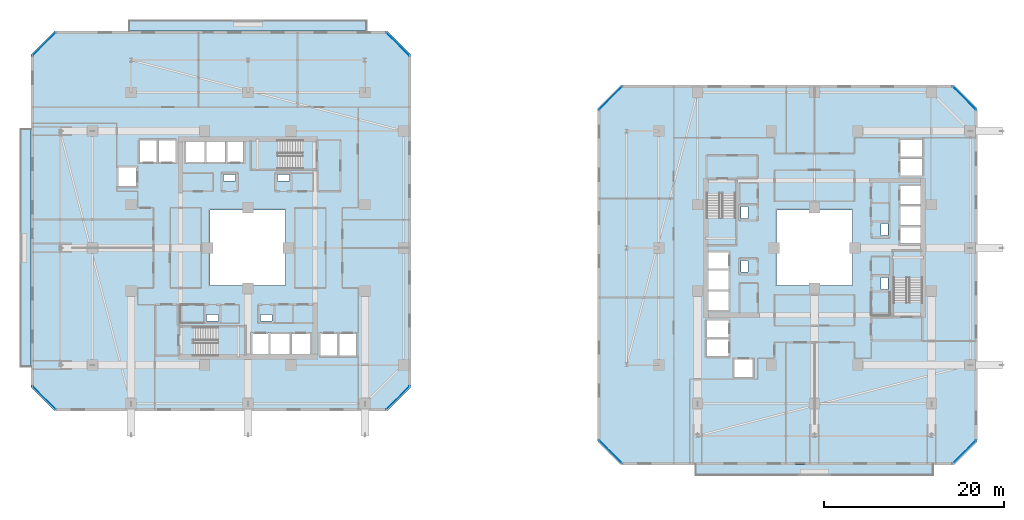
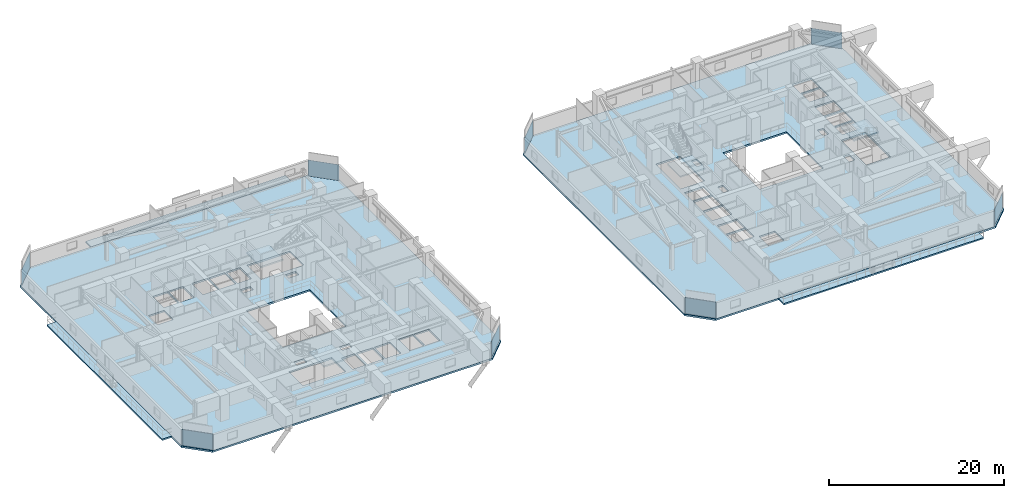
# One storey, part 18 of 36: 9 slabs, 8 plates, 12 elements without a shape of their own.
"""IFC4 building model written with IfcOpenShell, lengths in metres."""

from ifc_helpers import new_model, si_unit, direction, frame, origin, origin_2d, place, context, subcontext, project, spatial, polyline, rectangle, outline, extrude, material, layer, layer_set, type_object, element, aggregate, save


model = new_model("IFC4")

# Units and contexts
model_context = context("Model", 3, precision=1e-05, world=origin(), true_north=direction((0.0, 1.0)))
body_context = subcontext(model_context, "Body", "Model", "MODEL_VIEW")
ifc_project = project(units=[si_unit("LENGTHUNIT", "METRE"), si_unit("AREAUNIT", "SQUARE_METRE"), si_unit("VOLUMEUNIT", "CUBIC_METRE"), si_unit("PLANEANGLEUNIT", "RADIAN"), si_unit("MASSUNIT", "GRAM", prefix="KILO")], contexts=[model_context])

# Site, building, storey
site_placement = place(None, origin())
site = spatial("IfcSite", under=ifc_project, at=site_placement, CompositionType="ELEMENT")
building_placement = place(site_placement, origin())
building = spatial("IfcBuilding", under=site, at=building_placement, Name="Thornwick Lancets Civic Towers", CompositionType="ELEMENT")
storey_placement = place(building_placement, frame((0.0, 0.0, 116.10009765625)))
storey = spatial("IfcBuildingStorey", under=building, at=storey_placement, Name="L30", CompositionType="ELEMENT", Elevation=116.10009765625)

# Curtain wall, plate
ifc_material_1 = material(Name="Low-zone chamfered-corner unitised glass curtain wall", Category="glass")
curtain_wall_type = type_object("IfcCurtainWallType", Name="CW_SYS_03", PredefinedType="NOTDEFINED", material=ifc_material_1)
curtain_wall_1_placement = place(storey_placement, origin())
curtain_wall_1 = element("IfcCurtainWall", 1, at=curtain_wall_1_placement, inside=storey, type_object=curtain_wall_type, Name="L30 Curtain Wall CW-L30-A-E1", PredefinedType="NOTDEFINED")
ifc_material_2 = material(Name="Low-e double glazing clear glass", Category="glass")
ifc_layer_1 = layer(ifc_material_2, 0.035888671875, Name="Low-e double glazing clear glass")
ifc_layer_set_1 = layer_set([ifc_layer_1], Name="Low-e double glazing clear glass")
plate_type = type_object("IfcPlateType", Name="CW_PNL_GLASS", PredefinedType="CURTAIN_PANEL", material=ifc_layer_set_1)
plate_1_placement = place(storey_placement, frame((42.173095703125, 10.326904296875, 0.0), z_axis=(0.0, 0.0, 1.0), x_axis=(0.707106781187, 0.707106781187, 0.0)))
plate_1 = element("IfcPlate", 2, at=plate_1_placement, type_object=plate_type, Name="CW-L30-A-E1 Panel 0", PredefinedType="CURTAIN_PANEL", context=body_context, shape_type="SweptSolid", body=[
    extrude(rectangle(XDim=3.6494140625, YDim=0.035888671875, at=origin_2d()), origin(), (0.0, 0.0, 1.0), 2.219970703125),
])
aggregate(curtain_wall_1, [plate_1])

curtain_wall_2_placement = place(storey_placement, origin())
curtain_wall_2 = element("IfcCurtainWall", 3, at=curtain_wall_2_placement, inside=storey, type_object=curtain_wall_type, Name="L30 Curtain Wall CW-L30-A-E3", PredefinedType="NOTDEFINED")
plate_2_placement = place(storey_placement, frame((42.173095703125, 49.673095703125, 0.0), z_axis=(0.0, 0.0, 1.0), x_axis=(-0.707106781187, 0.707106781187, 0.0)))
plate_2 = element("IfcPlate", 4, at=plate_2_placement, type_object=plate_type, Name="CW-L30-A-E3 Panel 0", PredefinedType="CURTAIN_PANEL", context=body_context, shape_type="SweptSolid", body=[
    extrude(rectangle(XDim=3.6494140625, YDim=0.035888671875, at=origin_2d()), origin(), (0.0, 0.0, 1.0), 2.219970703125),
])
aggregate(curtain_wall_2, [plate_2])

curtain_wall_3_placement = place(storey_placement, origin())
curtain_wall_3 = element("IfcCurtainWall", 5, at=curtain_wall_3_placement, inside=storey, type_object=curtain_wall_type, Name="L30 Curtain Wall CW-L30-A-E5", PredefinedType="NOTDEFINED")
plate_3_placement = place(storey_placement, frame((2.826904296875, 49.673095703125, 0.0), z_axis=(0.0, 0.0, 1.0), x_axis=(-0.707106781187, -0.707106781187, 0.0)))
plate_3 = element("IfcPlate", 6, at=plate_3_placement, type_object=plate_type, Name="CW-L30-A-E5 Panel 0", PredefinedType="CURTAIN_PANEL", context=body_context, shape_type="SweptSolid", body=[
    extrude(rectangle(XDim=3.6494140625, YDim=0.035888671875, at=origin_2d()), origin(), (0.0, 0.0, 1.0), 2.219970703125),
])
aggregate(curtain_wall_3, [plate_3])

curtain_wall_4_placement = place(storey_placement, origin())
curtain_wall_4 = element("IfcCurtainWall", 7, at=curtain_wall_4_placement, inside=storey, type_object=curtain_wall_type, Name="L30 Curtain Wall CW-L30-A-E7", PredefinedType="NOTDEFINED")
plate_4_placement = place(storey_placement, frame((2.826904296875, 10.326904296875, 0.0), z_axis=(0.0, 0.0, 1.0), x_axis=(0.707106781187, -0.707106781187, 0.0)))
plate_4 = element("IfcPlate", 8, at=plate_4_placement, type_object=plate_type, Name="CW-L30-A-E7 Panel 0", PredefinedType="CURTAIN_PANEL", context=body_context, shape_type="SweptSolid", body=[
    extrude(rectangle(XDim=3.6494140625, YDim=0.035888671875, at=origin_2d()), origin(), (0.0, 0.0, 1.0), 2.219970703125),
])
aggregate(curtain_wall_4, [plate_4])

curtain_wall_5_placement = place(storey_placement, origin())
curtain_wall_5 = element("IfcCurtainWall", 9, at=curtain_wall_5_placement, inside=storey, type_object=curtain_wall_type, Name="L30 Curtain Wall CW-L30-B-E1", PredefinedType="NOTDEFINED")
plate_5_placement = place(storey_placement, frame((105.173095703125, 4.326904296875, 0.0), z_axis=(0.0, 0.0, 1.0), x_axis=(0.707106781187, 0.707106781187, 0.0)))
plate_5 = element("IfcPlate", 10, at=plate_5_placement, type_object=plate_type, Name="CW-L30-B-E1 Panel 0", PredefinedType="CURTAIN_PANEL", context=body_context, shape_type="SweptSolid", body=[
    extrude(rectangle(XDim=3.6494140625, YDim=0.035888671875, at=origin_2d()), origin(), (0.0, 0.0, 1.0), 2.219970703125),
])
aggregate(curtain_wall_5, [plate_5])

curtain_wall_6_placement = place(storey_placement, origin())
curtain_wall_6 = element("IfcCurtainWall", 11, at=curtain_wall_6_placement, inside=storey, type_object=curtain_wall_type, Name="L30 Curtain Wall CW-L30-B-E3", PredefinedType="NOTDEFINED")
plate_6_placement = place(storey_placement, frame((105.173095703125, 43.673095703125, 0.0), z_axis=(0.0, 0.0, 1.0), x_axis=(-0.707106781187, 0.707106781187, 0.0)))
plate_6 = element("IfcPlate", 12, at=plate_6_placement, type_object=plate_type, Name="CW-L30-B-E3 Panel 0", PredefinedType="CURTAIN_PANEL", context=body_context, shape_type="SweptSolid", body=[
    extrude(rectangle(XDim=3.6494140625, YDim=0.035888671875, at=origin_2d()), origin(), (0.0, 0.0, 1.0), 2.219970703125),
])
aggregate(curtain_wall_6, [plate_6])

curtain_wall_7_placement = place(storey_placement, origin())
curtain_wall_7 = element("IfcCurtainWall", 13, at=curtain_wall_7_placement, inside=storey, type_object=curtain_wall_type, Name="L30 Curtain Wall CW-L30-B-E5", PredefinedType="NOTDEFINED")
plate_7_placement = place(storey_placement, frame((65.826904296875, 43.673095703125, 0.0), z_axis=(0.0, 0.0, 1.0), x_axis=(-0.707106781187, -0.707106781187, 0.0)))
plate_7 = element("IfcPlate", 14, at=plate_7_placement, type_object=plate_type, Name="CW-L30-B-E5 Panel 0", PredefinedType="CURTAIN_PANEL", context=body_context, shape_type="SweptSolid", body=[
    extrude(rectangle(XDim=3.6494140625, YDim=0.035888671875, at=origin_2d()), origin(), (0.0, 0.0, 1.0), 2.219970703125),
])
aggregate(curtain_wall_7, [plate_7])

curtain_wall_8_placement = place(storey_placement, origin())
curtain_wall_8 = element("IfcCurtainWall", 15, at=curtain_wall_8_placement, inside=storey, type_object=curtain_wall_type, Name="L30 Curtain Wall CW-L30-B-E7", PredefinedType="NOTDEFINED")
plate_8_placement = place(storey_placement, frame((65.826904296875, 4.326904296875, 0.0), z_axis=(0.0, 0.0, 1.0), x_axis=(0.707106781187, -0.707106781187, 0.0)))
plate_8 = element("IfcPlate", 16, at=plate_8_placement, type_object=plate_type, Name="CW-L30-B-E7 Panel 0", PredefinedType="CURTAIN_PANEL", context=body_context, shape_type="SweptSolid", body=[
    extrude(rectangle(XDim=3.6494140625, YDim=0.035888671875, at=origin_2d()), origin(), (0.0, 0.0, 1.0), 2.219970703125),
])
aggregate(curtain_wall_8, [plate_8])

# Slabs
ifc_material_3 = material(Name="Post-tensioned concrete C40/50", Category="concrete")
ifc_layer_2 = layer(ifc_material_3, 0.199951171875, Name="Post-tensioned concrete C40/50")
ifc_layer_set_2 = layer_set([ifc_layer_2], Name="Post-tensioned concrete C40/50")
slab_type_1 = type_object("IfcSlabType", Name="SLAB_BALCONY_200", PredefinedType="FLOOR", material=ifc_layer_set_2)
slab_1_placement = place(storey_placement, frame((0.0, 0.0, -0.2001953125)))
element("IfcSlab", 17, at=slab_1_placement, inside=storey, type_object=slab_type_1, Name="L30 Tower A Planted Balcony Slab W", PredefinedType="FLOOR", context=body_context, shape_type="SweptSolid", body=[
    extrude(outline(polyline([(0.14990234375, 13.800048828125), (1.39990234375, 13.800048828125), (1.39990234375, 40.199951171875), (0.14990234375, 40.199951171875), (0.14990234375, 13.800048828125)])), origin(), (0.0, 0.0, 1.0), 0.2001953125),
])
slab_2_placement = place(storey_placement, frame((0.0, 0.0, -0.2001953125)))
element("IfcSlab", 18, at=slab_2_placement, inside=storey, type_object=slab_type_1, Name="L30 Tower A Planted Balcony Slab N", PredefinedType="FLOOR", context=body_context, shape_type="SweptSolid", body=[
    extrude(outline(polyline([(12.300048828125, 51.10009765625), (38.699951171875, 51.10009765625), (38.699951171875, 52.35009765625), (12.300048828125, 52.35009765625), (12.300048828125, 51.10009765625)])), origin(), (0.0, 0.0, 1.0), 0.2001953125),
])
slab_3_placement = place(storey_placement, frame((0.0, 0.0, -0.2001953125)))
element("IfcSlab", 19, at=slab_3_placement, inside=storey, type_object=slab_type_1, Name="L30 Tower B Planted Balcony Slab S", PredefinedType="FLOOR", context=body_context, shape_type="SweptSolid", body=[
    extrude(outline(polyline([(75.300048828125, 1.64990234375), (101.699951171875, 1.64990234375), (101.699951171875, 2.89990234375), (75.300048828125, 2.89990234375), (75.300048828125, 1.64990234375)])), origin(), (0.0, 0.0, 1.0), 0.2001953125),
])

# Stair, slab
ifc_material_4 = material(Name="Concrete C40/50", Category="concrete")
stair_type = type_object("IfcStairType", Name="STAIR_DL_3600", PredefinedType="HALF_TURN_STAIR", material=ifc_material_4)
stair_1_placement = place(storey_placement, origin())
stair_1 = element("IfcStair", 20, at=stair_1_placement, inside=storey, type_object=stair_type, Name="L30 Tower A South Exit Stair ST-A1", PredefinedType="HALF_TURN_STAIR")
ifc_layer_3 = layer(ifc_material_4, 0.25, Name="Concrete C40/50")
ifc_layer_set_3 = layer_set([ifc_layer_3], Name="Concrete C40/50")
slab_type_2 = type_object("IfcSlabType", Name="SLAB_LANDING_200", PredefinedType="LANDING", material=ifc_layer_set_3)
slab_4_placement = place(storey_placement, frame((0.0, 0.0, 1.602783203125)))
slab_4 = element("IfcSlab", 21, at=slab_4_placement, type_object=slab_type_2, Name="ST-A1 landing 1", PredefinedType="LANDING", context=body_context, shape_type="SweptSolid", body=[
    extrude(outline(polyline([(22.169921875, 14.93994140625), (25.14990234375, 14.93994140625), (25.14990234375, 18.260009765625), (22.169921875, 18.260009765625), (22.169921875, 14.93994140625)])), origin(), (0.0, 0.0, 1.0), 0.2001953125),
])
aggregate(stair_1, [slab_4])

stair_2_placement = place(storey_placement, origin())
stair_2 = element("IfcStair", 22, at=stair_2_placement, inside=storey, type_object=stair_type, Name="L30 Tower A North Exit Stair ST-A2", PredefinedType="HALF_TURN_STAIR")
slab_5_placement = place(storey_placement, frame((0.0, 0.0, 1.602783203125)))
slab_5 = element("IfcSlab", 23, at=slab_5_placement, type_object=slab_type_2, Name="ST-A2 landing 1", PredefinedType="LANDING", context=body_context, shape_type="SweptSolid", body=[
    extrude(outline(polyline([(28.830078125, 39.06005859375), (25.85009765625, 39.06005859375), (25.85009765625, 35.739990234375), (28.830078125, 35.739990234375), (28.830078125, 39.06005859375)])), origin(), (0.0, 0.0, 1.0), 0.2001953125),
])
aggregate(stair_2, [slab_5])

stair_3_placement = place(storey_placement, origin())
stair_3 = element("IfcStair", 24, at=stair_3_placement, inside=storey, type_object=stair_type, Name="L30 Tower B East Exit Stair ST-B1", PredefinedType="HALF_TURN_STAIR")
slab_6_placement = place(storey_placement, frame((0.0, 0.0, 1.602783203125)))
slab_6 = element("IfcSlab", 25, at=slab_6_placement, type_object=slab_type_2, Name="ST-B1 landing 1", PredefinedType="LANDING", context=body_context, shape_type="SweptSolid", body=[
    extrude(outline(polyline([(100.56005859375, 23.669921875), (100.56005859375, 26.64990234375), (97.239990234375, 26.64990234375), (97.239990234375, 23.669921875), (100.56005859375, 23.669921875)])), origin(), (0.0, 0.0, 1.0), 0.2001953125),
])
aggregate(stair_3, [slab_6])

stair_4_placement = place(storey_placement, origin())
stair_4 = element("IfcStair", 26, at=stair_4_placement, inside=storey, type_object=stair_type, Name="L30 Tower B West Exit Stair ST-B2", PredefinedType="HALF_TURN_STAIR")
slab_7_placement = place(storey_placement, frame((0.0, 0.0, 1.602783203125)))
slab_7 = element("IfcSlab", 27, at=slab_7_placement, type_object=slab_type_2, Name="ST-B2 landing 1", PredefinedType="LANDING", context=body_context, shape_type="SweptSolid", body=[
    extrude(outline(polyline([(76.43994140625, 30.330078125), (76.43994140625, 27.35009765625), (79.760009765625, 27.35009765625), (79.760009765625, 30.330078125), (76.43994140625, 30.330078125)])), origin(), (0.0, 0.0, 1.0), 0.2001953125),
])
aggregate(stair_4, [slab_7])

# Slabs
ifc_layer_4 = layer(ifc_material_3, 0.239990234375, Name="Post-tensioned concrete C40/50")
ifc_layer_set_4 = layer_set([ifc_layer_4], Name="Post-tensioned concrete C40/50")
slab_type_3 = type_object("IfcSlabType", Name="SLAB_PT_240", PredefinedType="FLOOR", material=ifc_layer_set_4)
slab_8_placement = place(storey_placement, frame((0.0, 0.0, -0.239990234375)))
element("IfcSlab", 28, at=slab_8_placement, inside=storey, type_object=slab_type_3, Name="L30 Tower A Floor Slab", PredefinedType="FLOOR", context=body_context, shape_type="SweptSolid", body=[
    extrude(outline(polyline([(4.0, 8.89990234375), (41.0, 8.89990234375), (43.60009765625, 11.5), (43.60009765625, 48.5), (41.0, 51.10009765625), (4.0, 51.10009765625), (1.39990234375, 48.5), (1.39990234375, 11.5), (4.0, 8.89990234375)]), holes=[polyline([(21.300048828125, 22.800048828125), (29.699951171875, 22.800048828125), (29.699951171875, 31.199951171875), (21.300048828125, 31.199951171875), (21.300048828125, 22.800048828125)]), polyline([(19.429931640625, 15.0), (25.10009765625, 15.0), (25.10009765625, 18.199951171875), (19.429931640625, 18.199951171875), (19.429931640625, 15.0)]), polyline([(31.570068359375, 39.0), (25.89990234375, 39.0), (25.89990234375, 35.800048828125), (31.570068359375, 35.800048828125), (31.570068359375, 39.0)]), polyline([(26.0, 15.0), (27.800048828125, 15.0), (27.800048828125, 17.550048828125), (26.0, 17.550048828125), (26.0, 15.0)]), polyline([(28.0, 15.0), (30.14990234375, 15.0), (30.14990234375, 17.550048828125), (28.0, 17.550048828125), (28.0, 15.0)]), polyline([(30.35009765625, 15.0), (32.39990234375, 15.0), (32.39990234375, 17.550048828125), (30.35009765625, 17.550048828125), (30.35009765625, 15.0)]), polyline([(33.550048828125, 15.0), (35.449951171875, 15.0), (35.449951171875, 17.550048828125), (33.550048828125, 17.550048828125), (33.550048828125, 15.0)]), polyline([(35.60009765625, 15.0), (37.550048828125, 15.0), (37.550048828125, 17.550048828125), (35.60009765625, 17.550048828125), (35.60009765625, 15.0)]), polyline([(23.199951171875, 36.449951171875), (25.0, 36.449951171875), (25.0, 39.0), (23.199951171875, 39.0), (23.199951171875, 36.449951171875)]), polyline([(20.85009765625, 36.449951171875), (23.0, 36.449951171875), (23.0, 39.0), (20.85009765625, 39.0), (20.85009765625, 36.449951171875)]), polyline([(18.60009765625, 36.449951171875), (20.699951171875, 36.449951171875), (20.699951171875, 39.0), (18.60009765625, 39.0), (18.60009765625, 36.449951171875)]), polyline([(15.550048828125, 36.449951171875), (17.449951171875, 36.449951171875), (17.449951171875, 39.0), (15.550048828125, 39.0), (15.550048828125, 36.449951171875)]), polyline([(13.449951171875, 36.449951171875), (15.39990234375, 36.449951171875), (15.39990234375, 39.0), (13.449951171875, 39.0), (13.449951171875, 36.449951171875)]), polyline([(11.10009765625, 33.85009765625), (13.199951171875, 33.85009765625), (13.199951171875, 35.949951171875), (11.10009765625, 35.949951171875), (11.10009765625, 33.85009765625)]), polyline([(26.89990234375, 18.85009765625), (28.199951171875, 18.85009765625), (28.199951171875, 19.580078125), (26.89990234375, 19.580078125), (26.89990234375, 18.85009765625)]), polyline([(20.89990234375, 18.85009765625), (22.199951171875, 18.85009765625), (22.199951171875, 19.580078125), (20.89990234375, 19.580078125), (20.89990234375, 18.85009765625)]), polyline([(22.800048828125, 34.419921875), (24.10009765625, 34.419921875), (24.10009765625, 35.14990234375), (22.800048828125, 35.14990234375), (22.800048828125, 34.419921875)]), polyline([(28.800048828125, 34.419921875), (30.10009765625, 34.419921875), (30.10009765625, 35.14990234375), (28.800048828125, 35.14990234375), (28.800048828125, 34.419921875)])]), origin(), (0.0, 0.0, 1.0), 0.239990234375),
])
slab_9_placement = place(storey_placement, frame((0.0, 0.0, -0.239990234375)))
element("IfcSlab", 29, at=slab_9_placement, inside=storey, type_object=slab_type_3, Name="L30 Tower B Floor Slab", PredefinedType="FLOOR", context=body_context, shape_type="SweptSolid", body=[
    extrude(outline(polyline([(67.0, 2.89990234375), (104.0, 2.89990234375), (106.60009765625, 5.5), (106.60009765625, 42.5), (104.0, 45.10009765625), (67.0, 45.10009765625), (64.39990234375, 42.5), (64.39990234375, 5.5), (67.0, 2.89990234375)]), holes=[polyline([(84.300048828125, 22.800048828125), (92.699951171875, 22.800048828125), (92.699951171875, 31.199951171875), (84.300048828125, 31.199951171875), (84.300048828125, 22.800048828125)]), polyline([(100.5, 20.929931640625), (100.5, 26.60009765625), (97.300048828125, 26.60009765625), (97.300048828125, 20.929931640625), (100.5, 20.929931640625)]), polyline([(76.5, 33.070068359375), (76.5, 27.39990234375), (79.699951171875, 27.39990234375), (79.699951171875, 33.070068359375), (76.5, 33.070068359375)]), polyline([(97.949951171875, 27.5), (100.5, 27.5), (100.5, 29.300048828125), (97.949951171875, 29.300048828125), (97.949951171875, 27.5)]), polyline([(97.949951171875, 29.5), (100.5, 29.5), (100.5, 31.64990234375), (97.949951171875, 31.64990234375), (97.949951171875, 29.5)]), polyline([(97.949951171875, 31.85009765625), (100.5, 31.85009765625), (100.5, 33.89990234375), (97.949951171875, 33.89990234375), (97.949951171875, 31.85009765625)]), polyline([(97.949951171875, 35.050048828125), (100.5, 35.050048828125), (100.5, 36.949951171875), (97.949951171875, 36.949951171875), (97.949951171875, 35.050048828125)]), polyline([(97.949951171875, 37.10009765625), (100.5, 37.10009765625), (100.5, 39.050048828125), (97.949951171875, 39.050048828125), (97.949951171875, 37.10009765625)]), polyline([(76.5, 24.699951171875), (79.050048828125, 24.699951171875), (79.050048828125, 26.5), (76.5, 26.5), (76.5, 24.699951171875)]), polyline([(76.5, 22.35009765625), (79.050048828125, 22.35009765625), (79.050048828125, 24.5), (76.5, 24.5), (76.5, 22.35009765625)]), polyline([(76.5, 20.10009765625), (79.050048828125, 20.10009765625), (79.050048828125, 22.199951171875), (76.5, 22.199951171875), (76.5, 20.10009765625)]), polyline([(76.5, 17.050048828125), (79.050048828125, 17.050048828125), (79.050048828125, 18.949951171875), (76.5, 18.949951171875), (76.5, 17.050048828125)]), polyline([(76.5, 14.949951171875), (79.050048828125, 14.949951171875), (79.050048828125, 16.89990234375), (76.5, 16.89990234375), (76.5, 14.949951171875)]), polyline([(79.550048828125, 12.60009765625), (81.64990234375, 12.60009765625), (81.64990234375, 14.699951171875), (79.550048828125, 14.699951171875), (79.550048828125, 12.60009765625)]), polyline([(95.919921875, 28.39990234375), (96.64990234375, 28.39990234375), (96.64990234375, 29.699951171875), (95.919921875, 29.699951171875), (95.919921875, 28.39990234375)]), polyline([(95.919921875, 22.39990234375), (96.64990234375, 22.39990234375), (96.64990234375, 23.699951171875), (95.919921875, 23.699951171875), (95.919921875, 22.39990234375)]), polyline([(80.35009765625, 24.300048828125), (81.080078125, 24.300048828125), (81.080078125, 25.60009765625), (80.35009765625, 25.60009765625), (80.35009765625, 24.300048828125)]), polyline([(80.35009765625, 30.300048828125), (81.080078125, 30.300048828125), (81.080078125, 31.60009765625), (80.35009765625, 31.60009765625), (80.35009765625, 30.300048828125)])]), origin(), (0.0, 0.0, 1.0), 0.239990234375),
])

save(model, "model.ifc")
